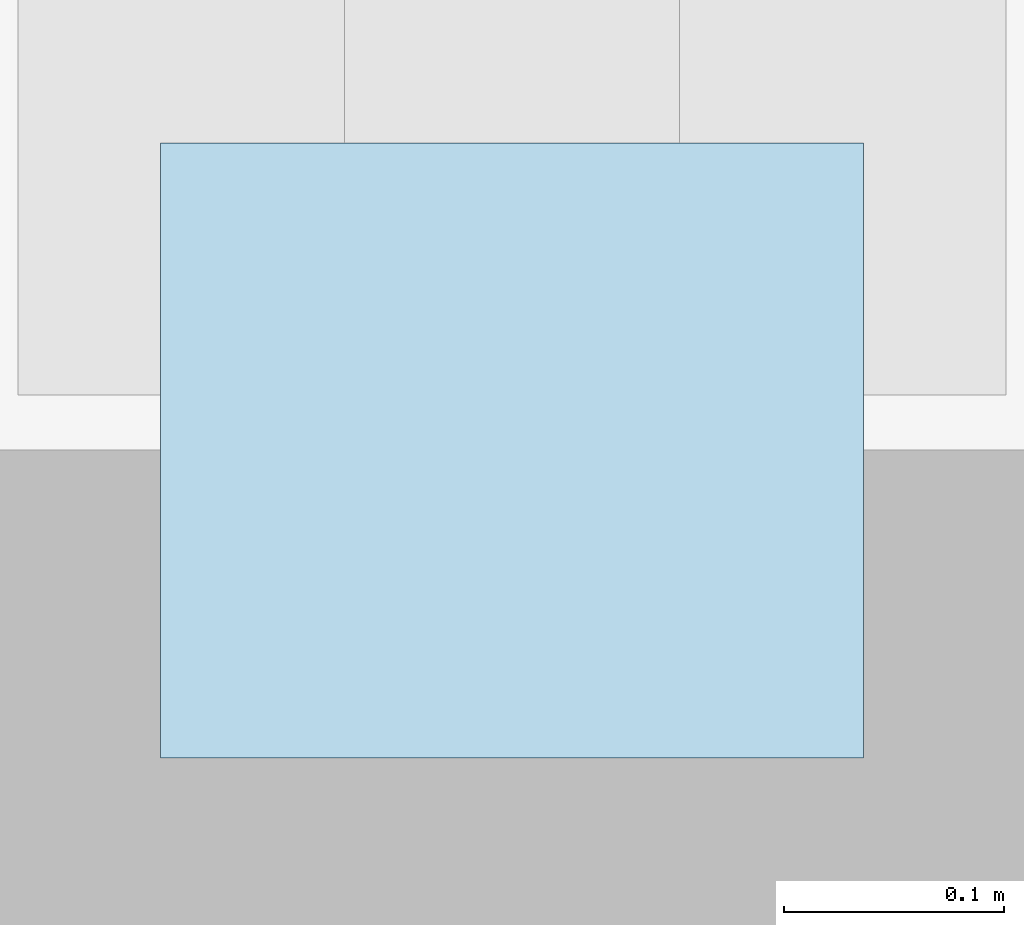
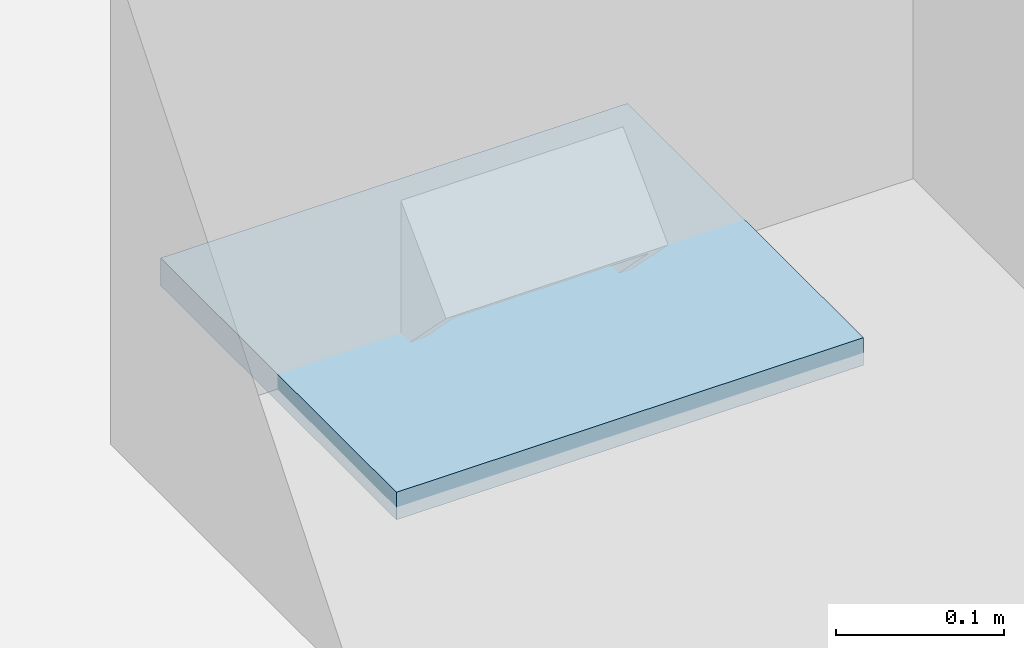
# One storey, part 50 of 67: 1 plate.
"""IFC4 building model written with IfcOpenShell, lengths in metres."""

import ifcopenshell
import ifcopenshell.guid

model = None  # the IFC model being written
_history = None  # IfcOwnerHistory: only IFC2X3 demands one
_inside = {}  # id of a spatial element -> (the spatial element, [elements in it])
_under = {}  # id of a project, library or spatial element -> (it, [spatial elements below it])
_declared = {}  # id of a project -> (the project, [libraries it declares])
_typed = {}  # id of a type object -> (the type object, [elements of that type])
_made_of = {}  # id of a material, layer set ... -> (it, [elements and type objects made of it])


def new_model(schema):
    """Start an empty IFC model of exactly this schema.

    Asked for "IFC4X3", IfcOpenShell would pick the latest addendum, in which some entities
    have other attributes; the version numbers below select the first issue.
    IFC2X3 requires an IfcOwnerHistory on every rooted entity: one is made here for all.
    """
    global model, _history
    if schema == "IFC4X3":
        model = ifcopenshell.file(schema_version=(4, 3, 0, 0))
    else:
        model = ifcopenshell.file(schema=schema)
    _inside.clear()
    _under.clear()
    _declared.clear()
    _typed.clear()
    _made_of.clear()
    _history = None
    if model.schema == "IFC2X3":
        org = make("IfcOrganization", Name="unknown")
        user = make(
            "IfcPersonAndOrganization",
            ThePerson=make("IfcPerson", FamilyName="unknown"),
            TheOrganization=org,
        )
        app = make(
            "IfcApplication",
            ApplicationDeveloper=org,
            Version="unknown",
            ApplicationFullName="unknown",
            ApplicationIdentifier="unknown",
        )
        _history = make(
            "IfcOwnerHistory",
            OwningUser=user,
            OwningApplication=app,
            ChangeAction="ADDED",
            CreationDate=0,
        )
    return model


def make(cls, **values):
    """One entity of the class cls with the attributes given. An attribute that is None is left unset."""
    return model.create_entity(
        cls, **{name: value for name, value in values.items() if value is not None}
    )


def rooted(cls, **values):
    """An entity with a GlobalId (a new one), such as an element, a storey or a relation."""
    return make(cls, GlobalId=ifcopenshell.guid.new(), OwnerHistory=_history, **values)


def si_unit(unit_type, name, prefix=None):
    """IfcSIUnit, for example si_unit("LENGTHUNIT", "METRE", prefix="MILLI")."""
    return make("IfcSIUnit", UnitType=unit_type, Prefix=prefix, Name=name)


def assignment(units):
    """IfcUnitAssignment: the units of a project."""
    return None if units is None else make("IfcUnitAssignment", Units=units)


def point(xyz):
    """IfcCartesianPoint."""
    return None if xyz is None else make("IfcCartesianPoint", Coordinates=xyz)


def direction(xyz):
    """IfcDirection."""
    return None if xyz is None else make("IfcDirection", DirectionRatios=xyz)


def frame(location, z_axis=None, x_axis=None):
    """IfcAxis2Placement3D, a coordinate frame: its origin and axes. An axis left out is left unset."""
    return make(
        "IfcAxis2Placement3D",
        Location=point(location),
        Axis=direction(z_axis),
        RefDirection=direction(x_axis),
    )


def frame_2d(location, x_axis=None):
    """IfcAxis2Placement2D, a coordinate frame in the plane: its origin and x axis."""
    return make(
        "IfcAxis2Placement2D", Location=point(location), RefDirection=direction(x_axis)
    )


def origin():
    """The frame at (0, 0, 0) with its axes left unset."""
    return frame((0.0, 0.0, 0.0))


def origin_2d():
    """The frame at (0, 0) in the plane with its x axis left unset."""
    return frame_2d((0.0, 0.0))


def place(relative_to, where):
    """IfcLocalPlacement: puts the frame where relative to a parent placement (None: the world)."""
    return make(
        "IfcLocalPlacement", PlacementRelTo=relative_to, RelativePlacement=where
    )


def context(
    kind, dimensions, precision=None, world=None, true_north=None, identifier=None
):
    """IfcGeometricRepresentationContext, for example the 3D "Model" context."""
    return make(
        "IfcGeometricRepresentationContext",
        ContextIdentifier=identifier,
        ContextType=kind,
        CoordinateSpaceDimension=dimensions,
        Precision=precision,
        WorldCoordinateSystem=world,
        TrueNorth=true_north,
    )


def subcontext(parent, identifier, kind, view, scale=None):
    """IfcGeometricRepresentationSubContext, for example "Body" below "Model"."""
    return make(
        "IfcGeometricRepresentationSubContext",
        ContextIdentifier=identifier,
        ContextType=kind,
        ParentContext=parent,
        TargetScale=scale,
        TargetView=view,
    )


def project(units=None, contexts=None):
    """IfcProject with its units and contexts."""
    return rooted(
        "IfcProject",
        Name="project",
        RepresentationContexts=contexts,
        UnitsInContext=assignment(units),
    )


def spatial(cls, under=None, at=None, **own):
    """A site, building, storey or space (cls), placed at a placement, below another one or the project."""
    s = rooted(cls, ObjectPlacement=at, **own)
    if under is not None:
        _under.setdefault(under.id(), (under, []))[1].append(s)
    return s


def profile(cls, at=None, kind="AREA", **sizes):
    """A parametric profile (cls). Its sizes go by their IFC names, for example OverallWidth=200.0."""
    return make(cls, ProfileType=kind, Position=at, **sizes)


def rectangle(**sizes):
    """IfcRectangleProfileDef."""
    return profile("IfcRectangleProfileDef", **sizes)


def extrude(swept, where, along, depth):
    """IfcExtrudedAreaSolid: the profile swept, set in the frame where, extruded along a direction by depth."""
    return make(
        "IfcExtrudedAreaSolid",
        SweptArea=swept,
        Position=where,
        ExtrudedDirection=direction(along),
        Depth=depth,
    )


def shape(context_of_items, identifier, shape_type, items):
    """IfcShapeRepresentation: the items that make up one representation, for example the "Body"."""
    return make(
        "IfcShapeRepresentation",
        ContextOfItems=context_of_items,
        RepresentationIdentifier=identifier,
        RepresentationType=shape_type,
        Items=items,
    )


def material(Name=None, Category=None):
    """IfcMaterial."""
    return make("IfcMaterial", Name=Name, Category=Category)


def layer(
    of_material, thickness, ventilated=None, Name=None, Category=None, Priority=None
):
    """IfcMaterialLayer: one layer of a wall or slab, of a material (None: an air gap)."""
    return make(
        "IfcMaterialLayer",
        Material=of_material,
        LayerThickness=thickness,
        IsVentilated=ventilated,
        Name=Name,
        Category=Category,
        Priority=Priority,
    )


def layer_set(layers, Name=None):
    """IfcMaterialLayerSet."""
    return make("IfcMaterialLayerSet", MaterialLayers=layers, LayerSetName=Name)


def made_of(thing, what):
    """Note that an element or type object is made of a material, layer set ...; save() writes the relation."""
    if what is not None:
        _made_of.setdefault(what.id(), (what, []))[1].append(thing)
    return thing


def type_object(cls, material=None, **own):
    """A type object (cls), such as IfcWallType, which elements share."""
    return made_of(rooted(cls, **own), material)


def element(
    cls,
    number,
    at=None,
    inside=None,
    cuts=None,
    type_object=None,
    material=None,
    context=None,
    identifier="Body",
    shape_type=None,
    held_by="IfcProductDefinitionShape",
    body=None,
    shapes=None,
    **own,
):
    """One element of the class cls, such as IfcWall. Its Tag is "e" and its number.

    at: its placement. inside: the storey or other place that contains it. cuts: it is an
    opening in that element (IfcRelVoidsElement). A single representation is given by context,
    identifier, shape_type and body (its items); several are given by shapes. held_by: the class
    of the entity that holds the representations. save() writes the other relations.
    """
    e = rooted(cls, Tag="e%d" % number, ObjectPlacement=at, **own)
    if body is not None:
        shapes = [shape(context, identifier, shape_type, body)]
    if shapes is not None:
        e.Representation = make(held_by, Representations=shapes)
    if inside is not None:
        _inside.setdefault(inside.id(), (inside, []))[1].append(e)
    if cuts is not None:
        rooted(
            "IfcRelVoidsElement", RelatingBuildingElement=cuts, RelatedOpeningElement=e
        )
    if type_object is not None:
        _typed.setdefault(type_object.id(), (type_object, []))[1].append(e)
    return made_of(e, material)


def aggregate(whole, parts):
    """IfcRelAggregates: a whole, such as a stair, and the parts it consists of."""
    return rooted("IfcRelAggregates", RelatingObject=whole, RelatedObjects=parts)


def save(model, path):
    """Write the relations noted so far, then the file.

    IfcRelAggregates (storeys below a building ...), IfcRelContainedInSpatialStructure (elements
    in a storey), IfcRelDefinesByType, IfcRelAssociatesMaterial and IfcRelDeclares: one each for
    every whole, place, type object, material and project.
    """
    for whole, parts in _under.values():
        aggregate(whole, parts)
    for where, things in _inside.values():
        rooted(
            "IfcRelContainedInSpatialStructure",
            RelatedElements=things,
            RelatingStructure=where,
        )
    for kind, things in _typed.values():
        rooted("IfcRelDefinesByType", RelatedObjects=things, RelatingType=kind)
    for what, things in _made_of.values():
        rooted("IfcRelAssociatesMaterial", RelatedObjects=things, RelatingMaterial=what)
    for by, libraries in _declared.values():
        rooted("IfcRelDeclares", RelatingContext=by, RelatedDefinitions=libraries)
    model.write(path)


model = new_model("IFC4")

# Units and contexts
model_context = context("Model", 3, precision=1e-05, world=origin(), true_north=direction((0.0, 1.0)))
body_context = subcontext(model_context, "Body", "Model", "MODEL_VIEW")
ifc_project = project(units=[si_unit("LENGTHUNIT", "METRE"), si_unit("AREAUNIT", "SQUARE_METRE"), si_unit("VOLUMEUNIT", "CUBIC_METRE"), si_unit("PLANEANGLEUNIT", "RADIAN"), si_unit("MASSUNIT", "GRAM", prefix="KILO")], contexts=[model_context])

# Site, building, storey
site_placement = place(None, origin())
site = spatial("IfcSite", under=ifc_project, at=site_placement, CompositionType="ELEMENT")
building_placement = place(site_placement, origin())
building = spatial("IfcBuilding", under=site, at=building_placement, Name="Pellamere Symphony Hall", CompositionType="ELEMENT")
storey_placement = place(building_placement, frame((0.0, 0.0, 19.5)))
storey = spatial("IfcBuildingStorey", under=building, at=storey_placement, Name="L04", CompositionType="ELEMENT", Elevation=19.5)

# Plate
ifc_material = material(Name="Steel CSA G40.21 350W", Category="steel")
ifc_layer = layer(ifc_material, 0.02001953125, Name="Steel CSA G40.21 350W")
ifc_layer_set = layer_set([ifc_layer], Name="Steel CSA G40.21 350W")
plate_type = type_object("IfcPlateType", Name="Steel Connection Plate KP-06 320x280x20", PredefinedType="SHEET", material=ifc_layer_set)
plate_placement = place(storey_placement, frame((164.39990234375, 54.27490234375, -0.010009765625), z_axis=(0.0, 0.0, 1.0), x_axis=(1.0, 0.0, 0.0)))
element("IfcPlate", 1, at=plate_placement, inside=storey, type_object=plate_type, Name="Brace End Cap Plate 184", PredefinedType="SHEET", context=body_context, shape_type="SweptSolid", body=[
    extrude(rectangle(XDim=0.320068359375, YDim=0.280029296875, at=origin_2d()), origin(), (0.0, 0.0, 1.0), 0.02001953125),
])

save(model, "model.ifc")
